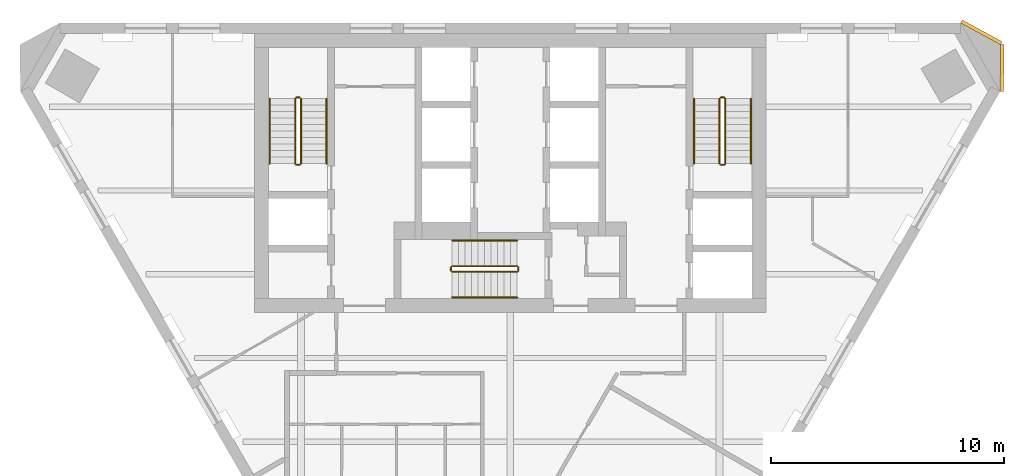
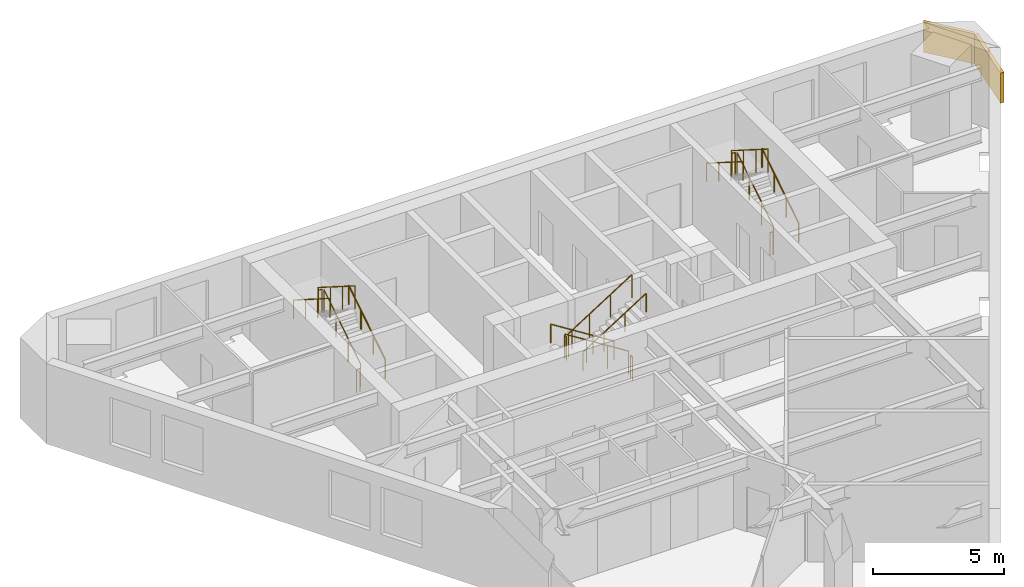
# One storey, part 6 of 6: 18 railings, 2 coverings.
"""IFC4 building model written with IfcOpenShell, lengths in metres."""

from ifc_helpers import new_model, si_unit, direction, frame, origin, origin_2d, place, context, subcontext, project, spatial, polyline, circle, outline, extrude, material, layer, layer_set, type_object, element, save


model = new_model("IFC4")

# Units and contexts
model_context = context("Model", 3, precision=1e-05, world=origin(), true_north=direction((0.0, 1.0)))
body_context = subcontext(model_context, "Body", "Model", "MODEL_VIEW")
ifc_project = project(units=[si_unit("LENGTHUNIT", "METRE"), si_unit("AREAUNIT", "SQUARE_METRE"), si_unit("VOLUMEUNIT", "CUBIC_METRE"), si_unit("PLANEANGLEUNIT", "RADIAN"), si_unit("MASSUNIT", "GRAM", prefix="KILO")], contexts=[model_context])

# Site, building, storey
site_placement = place(None, origin())
site = spatial("IfcSite", under=ifc_project, at=site_placement, CompositionType="ELEMENT")
building_placement = place(site_placement, origin())
building = spatial("IfcBuilding", under=site, at=building_placement, Name="Aloe Facet Convention Tower", CompositionType="ELEMENT")
storey_placement = place(building_placement, frame((0.0, 0.0, 223.10009765625)))
storey = spatial("IfcBuildingStorey", under=building, at=storey_placement, Name="L56", CompositionType="ELEMENT", Elevation=223.10009765625)

# Railings
ifc_material_1 = material(Name="Steel S355 balustrade", Category="steel")
railing_type_1 = type_object("IfcRailingType", Name="CR-RL-GUARD", PredefinedType="GUARDRAIL", material=ifc_material_1)
railing_1_placement = place(storey_placement, frame((71.0, 128.949951171875, 0.17724609375)))
element("IfcRailing", 1, at=railing_1_placement, inside=storey, type_object=railing_type_1, Name="L56 ST1 stair guard 1", PredefinedType="GUARDRAIL", context=body_context, shape_type="SweptSolid", body=[
    extrude(circle(Radius=0.02392578125, at=origin_2d()), frame((0.0, 0.0, 1.076171875), z_axis=(0.0, 0.844908973607, 0.534910110503), x_axis=(-1.0, 0.0, 0.0)), (0.0, 0.0, 1.0), 3.31396484375),
    extrude(circle(Radius=0.02099609375, at=origin_2d()), origin(), (0.0, 0.0, 1.0), 1.052001953125),
    extrude(circle(Radius=0.02099609375, at=origin_2d()), frame((0.0, 0.933349609375, 0.5908203125)), (0.0, 0.0, 1.0), 1.052001953125),
    extrude(circle(Radius=0.02099609375, at=origin_2d()), frame((0.0, 1.86669921875, 1.181884765625)), (0.0, 0.0, 1.0), 1.052001953125),
    extrude(circle(Radius=0.02099609375, at=origin_2d()), frame((0.0, 2.800048828125, 1.772705078125)), (0.0, 0.0, 1.0), 1.052001953125),
])
railing_2_placement = place(storey_placement, frame((70.949951171875, 131.800048828125, 1.949951171875)))
element("IfcRailing", 2, at=railing_2_placement, inside=storey, type_object=railing_type_1, Name="L56 ST1 stair guard 2", PredefinedType="GUARDRAIL", context=body_context, shape_type="SweptSolid", body=[
    extrude(circle(Radius=0.02392578125, at=origin_2d()), frame((0.0, 0.0, 1.076171875), z_axis=(-1.0, 0.0, 0.0), x_axis=(0.0, -1.0, 0.0)), (0.0, 0.0, 1.0), 0.14990234375),
    extrude(circle(Radius=0.02099609375, at=origin_2d()), origin(), (0.0, 0.0, 1.0), 1.052001953125),
    extrude(circle(Radius=0.02099609375, at=origin_2d()), frame((-0.14990234375, 0.0, 0.0)), (0.0, 0.0, 1.0), 1.052001953125),
])
railing_3_placement = place(storey_placement, frame((70.75, 131.75, 2.127197265625)))
element("IfcRailing", 3, at=railing_3_placement, inside=storey, type_object=railing_type_1, Name="L56 ST1 stair guard 3", PredefinedType="GUARDRAIL", context=body_context, shape_type="SweptSolid", body=[
    extrude(circle(Radius=0.02392578125, at=origin_2d()), frame((0.0, 0.0, 1.076171875), z_axis=(0.0, -0.844908973607, 0.534910110503), x_axis=(1.0, 0.0, 0.0)), (0.0, 0.0, 1.0), 3.31396484375),
    extrude(circle(Radius=0.02099609375, at=origin_2d()), origin(), (0.0, 0.0, 1.0), 1.052001953125),
    extrude(circle(Radius=0.02099609375, at=origin_2d()), frame((0.0, -0.933349609375, 0.5908203125)), (0.0, 0.0, 1.0), 1.052001953125),
    extrude(circle(Radius=0.02099609375, at=origin_2d()), frame((0.0, -1.86669921875, 1.181884765625)), (0.0, 0.0, 1.0), 1.052001953125),
    extrude(circle(Radius=0.02099609375, at=origin_2d()), frame((0.0, -2.800048828125, 1.772705078125)), (0.0, 0.0, 1.0), 1.052001953125),
])
railing_4_placement = place(storey_placement, frame((70.949951171875, 128.89990234375, 0.0)))
element("IfcRailing", 4, at=railing_4_placement, inside=storey, type_object=railing_type_1, Name="L56 ST1 stair guard 4", PredefinedType="GUARDRAIL", context=body_context, shape_type="SweptSolid", body=[
    extrude(circle(Radius=0.02392578125, at=origin_2d()), frame((0.0, 0.0, 1.076171875), z_axis=(-1.0, 0.0, 0.0), x_axis=(0.0, -1.0, 0.0)), (0.0, 0.0, 1.0), 0.14990234375),
    extrude(circle(Radius=0.02099609375, at=origin_2d()), origin(), (0.0, 0.0, 1.0), 1.052001953125),
    extrude(circle(Radius=0.02099609375, at=origin_2d()), frame((-0.14990234375, 0.0, 0.0)), (0.0, 0.0, 1.0), 1.052001953125),
])
railing_5_placement = place(storey_placement, frame((89.25, 128.949951171875, 0.17724609375)))
element("IfcRailing", 5, at=railing_5_placement, inside=storey, type_object=railing_type_1, Name="L56 ST2 stair guard 1", PredefinedType="GUARDRAIL", context=body_context, shape_type="SweptSolid", body=[
    extrude(circle(Radius=0.02392578125, at=origin_2d()), frame((0.0, 0.0, 1.076171875), z_axis=(0.0, 0.844908973607, 0.534910110503), x_axis=(-1.0, 0.0, 0.0)), (0.0, 0.0, 1.0), 3.31396484375),
    extrude(circle(Radius=0.02099609375, at=origin_2d()), origin(), (0.0, 0.0, 1.0), 1.052001953125),
    extrude(circle(Radius=0.02099609375, at=origin_2d()), frame((0.0, 0.933349609375, 0.5908203125)), (0.0, 0.0, 1.0), 1.052001953125),
    extrude(circle(Radius=0.02099609375, at=origin_2d()), frame((0.0, 1.86669921875, 1.181884765625)), (0.0, 0.0, 1.0), 1.052001953125),
    extrude(circle(Radius=0.02099609375, at=origin_2d()), frame((0.0, 2.800048828125, 1.772705078125)), (0.0, 0.0, 1.0), 1.052001953125),
])
railing_6_placement = place(storey_placement, frame((89.199951171875, 131.800048828125, 1.949951171875)))
element("IfcRailing", 6, at=railing_6_placement, inside=storey, type_object=railing_type_1, Name="L56 ST2 stair guard 2", PredefinedType="GUARDRAIL", context=body_context, shape_type="SweptSolid", body=[
    extrude(circle(Radius=0.02392578125, at=origin_2d()), frame((0.0, 0.0, 1.076171875), z_axis=(-1.0, 0.0, 0.0), x_axis=(0.0, -1.0, 0.0)), (0.0, 0.0, 1.0), 0.14990234375),
    extrude(circle(Radius=0.02099609375, at=origin_2d()), origin(), (0.0, 0.0, 1.0), 1.052001953125),
    extrude(circle(Radius=0.02099609375, at=origin_2d()), frame((-0.14990234375, 0.0, 0.0)), (0.0, 0.0, 1.0), 1.052001953125),
])
railing_7_placement = place(storey_placement, frame((89.0, 131.75, 2.127197265625)))
element("IfcRailing", 7, at=railing_7_placement, inside=storey, type_object=railing_type_1, Name="L56 ST2 stair guard 3", PredefinedType="GUARDRAIL", context=body_context, shape_type="SweptSolid", body=[
    extrude(circle(Radius=0.02392578125, at=origin_2d()), frame((0.0, 0.0, 1.076171875), z_axis=(0.0, -0.844908973607, 0.534910110503), x_axis=(1.0, 0.0, 0.0)), (0.0, 0.0, 1.0), 3.31396484375),
    extrude(circle(Radius=0.02099609375, at=origin_2d()), origin(), (0.0, 0.0, 1.0), 1.052001953125),
    extrude(circle(Radius=0.02099609375, at=origin_2d()), frame((0.0, -0.933349609375, 0.5908203125)), (0.0, 0.0, 1.0), 1.052001953125),
    extrude(circle(Radius=0.02099609375, at=origin_2d()), frame((0.0, -1.86669921875, 1.181884765625)), (0.0, 0.0, 1.0), 1.052001953125),
    extrude(circle(Radius=0.02099609375, at=origin_2d()), frame((0.0, -2.800048828125, 1.772705078125)), (0.0, 0.0, 1.0), 1.052001953125),
])
railing_8_placement = place(storey_placement, frame((89.199951171875, 128.89990234375, 0.0)))
element("IfcRailing", 8, at=railing_8_placement, inside=storey, type_object=railing_type_1, Name="L56 ST2 stair guard 4", PredefinedType="GUARDRAIL", context=body_context, shape_type="SweptSolid", body=[
    extrude(circle(Radius=0.02392578125, at=origin_2d()), frame((0.0, 0.0, 1.076171875), z_axis=(-1.0, 0.0, 0.0), x_axis=(0.0, -1.0, 0.0)), (0.0, 0.0, 1.0), 0.14990234375),
    extrude(circle(Radius=0.02099609375, at=origin_2d()), origin(), (0.0, 0.0, 1.0), 1.052001953125),
    extrude(circle(Radius=0.02099609375, at=origin_2d()), frame((-0.14990234375, 0.0, 0.0)), (0.0, 0.0, 1.0), 1.052001953125),
])
railing_9_placement = place(storey_placement, frame((80.300048828125, 124.550048828125, 0.17724609375)))
element("IfcRailing", 9, at=railing_9_placement, inside=storey, type_object=railing_type_1, Name="L56 ST3 stair guard 1", PredefinedType="GUARDRAIL", context=body_context, shape_type="SweptSolid", body=[
    extrude(circle(Radius=0.02392578125, at=origin_2d()), frame((0.0, 0.0, 1.076171875), z_axis=(-0.844908973607, 0.0, 0.534910110503), x_axis=(0.0, -1.0, 0.0)), (0.0, 0.0, 1.0), 3.31396484375),
    extrude(circle(Radius=0.02099609375, at=origin_2d()), origin(), (0.0, 0.0, 1.0), 1.052001953125),
    extrude(circle(Radius=0.02099609375, at=origin_2d()), frame((-0.933349609375, 0.0, 0.5908203125)), (0.0, 0.0, 1.0), 1.052001953125),
    extrude(circle(Radius=0.02099609375, at=origin_2d()), frame((-1.86669921875, 0.0, 1.181884765625)), (0.0, 0.0, 1.0), 1.052001953125),
    extrude(circle(Radius=0.02099609375, at=origin_2d()), frame((-2.800048828125, 0.0, 1.772705078125)), (0.0, 0.0, 1.0), 1.052001953125),
])
railing_10_placement = place(storey_placement, frame((77.449951171875, 124.5, 1.949951171875)))
element("IfcRailing", 10, at=railing_10_placement, inside=storey, type_object=railing_type_1, Name="L56 ST3 stair guard 2", PredefinedType="GUARDRAIL", context=body_context, shape_type="SweptSolid", body=[
    extrude(circle(Radius=0.02392578125, at=origin_2d()), frame((0.0, 0.0, 1.076171875), z_axis=(0.0, -1.0, 0.0), x_axis=(1.0, 0.0, 0.0)), (0.0, 0.0, 1.0), 0.14990234375),
    extrude(circle(Radius=0.02099609375, at=origin_2d()), origin(), (0.0, 0.0, 1.0), 1.052001953125),
    extrude(circle(Radius=0.02099609375, at=origin_2d()), frame((0.0, -0.14990234375, 0.0)), (0.0, 0.0, 1.0), 1.052001953125),
])
railing_11_placement = place(storey_placement, frame((77.5, 124.300048828125, 2.127197265625)))
element("IfcRailing", 11, at=railing_11_placement, inside=storey, type_object=railing_type_1, Name="L56 ST3 stair guard 3", PredefinedType="GUARDRAIL", context=body_context, shape_type="SweptSolid", body=[
    extrude(circle(Radius=0.02392578125, at=origin_2d()), frame((0.0, 0.0, 1.076171875), z_axis=(0.844908973607, 0.0, 0.534910110503), x_axis=(0.0, 1.0, 0.0)), (0.0, 0.0, 1.0), 3.31396484375),
    extrude(circle(Radius=0.02099609375, at=origin_2d()), origin(), (0.0, 0.0, 1.0), 1.052001953125),
    extrude(circle(Radius=0.02099609375, at=origin_2d()), frame((0.933349609375, 0.0, 0.5908203125)), (0.0, 0.0, 1.0), 1.052001953125),
    extrude(circle(Radius=0.02099609375, at=origin_2d()), frame((1.86669921875, 0.0, 1.181884765625)), (0.0, 0.0, 1.0), 1.052001953125),
    extrude(circle(Radius=0.02099609375, at=origin_2d()), frame((2.800048828125, 0.0, 1.772705078125)), (0.0, 0.0, 1.0), 1.052001953125),
])
railing_12_placement = place(storey_placement, frame((80.35009765625, 124.5, 0.0)))
element("IfcRailing", 12, at=railing_12_placement, inside=storey, type_object=railing_type_1, Name="L56 ST3 stair guard 4", PredefinedType="GUARDRAIL", context=body_context, shape_type="SweptSolid", body=[
    extrude(circle(Radius=0.02392578125, at=origin_2d()), frame((0.0, 0.0, 1.076171875), z_axis=(0.0, -1.0, 0.0), x_axis=(1.0, 0.0, 0.0)), (0.0, 0.0, 1.0), 0.14990234375),
    extrude(circle(Radius=0.02099609375, at=origin_2d()), origin(), (0.0, 0.0, 1.0), 1.052001953125),
    extrude(circle(Radius=0.02099609375, at=origin_2d()), frame((0.0, -0.14990234375, 0.0)), (0.0, 0.0, 1.0), 1.052001953125),
])
ifc_material_2 = material(Name="Steel S355 handrail", Category="steel")
railing_type_2 = type_object("IfcRailingType", Name="CR-RL-HAND", PredefinedType="HANDRAIL", material=ifc_material_2)
railing_13_placement = place(storey_placement, frame((72.10009765625, 128.949951171875, 0.17724609375)))
element("IfcRailing", 13, at=railing_13_placement, inside=storey, type_object=railing_type_2, Name="L56 ST1 stair handrail 1", PredefinedType="HANDRAIL", context=body_context, shape_type="SweptSolid", body=[
    extrude(circle(Radius=0.02392578125, at=origin_2d()), frame((0.0, 0.0, 0.8759765625), z_axis=(0.0, 0.844908973607, 0.534910110503), x_axis=(-1.0, 0.0, 0.0)), (0.0, 0.0, 1.0), 3.31396484375),
    extrude(circle(Radius=0.02099609375, at=origin_2d()), origin(), (0.0, 0.0, 1.0), 0.851806640625),
    extrude(circle(Radius=0.02099609375, at=origin_2d()), frame((0.0, 0.933349609375, 0.5908203125)), (0.0, 0.0, 1.0), 0.851806640625),
    extrude(circle(Radius=0.02099609375, at=origin_2d()), frame((0.0, 1.86669921875, 1.181884765625)), (0.0, 0.0, 1.0), 0.851806640625),
    extrude(circle(Radius=0.02099609375, at=origin_2d()), frame((0.0, 2.800048828125, 1.772705078125)), (0.0, 0.0, 1.0), 0.851806640625),
])
railing_14_placement = place(storey_placement, frame((69.64990234375, 131.75, 2.127197265625)))
element("IfcRailing", 14, at=railing_14_placement, inside=storey, type_object=railing_type_2, Name="L56 ST1 stair handrail 2", PredefinedType="HANDRAIL", context=body_context, shape_type="SweptSolid", body=[
    extrude(circle(Radius=0.02392578125, at=origin_2d()), frame((0.0, 0.0, 0.8759765625), z_axis=(0.0, -0.844908973607, 0.534910110503), x_axis=(1.0, 0.0, 0.0)), (0.0, 0.0, 1.0), 3.31396484375),
    extrude(circle(Radius=0.02099609375, at=origin_2d()), origin(), (0.0, 0.0, 1.0), 0.851806640625),
    extrude(circle(Radius=0.02099609375, at=origin_2d()), frame((0.0, -0.933349609375, 0.5908203125)), (0.0, 0.0, 1.0), 0.851806640625),
    extrude(circle(Radius=0.02099609375, at=origin_2d()), frame((0.0, -1.86669921875, 1.181884765625)), (0.0, 0.0, 1.0), 0.851806640625),
    extrude(circle(Radius=0.02099609375, at=origin_2d()), frame((0.0, -2.800048828125, 1.772705078125)), (0.0, 0.0, 1.0), 0.851806640625),
])
railing_15_placement = place(storey_placement, frame((90.35009765625, 128.949951171875, 0.17724609375)))
element("IfcRailing", 15, at=railing_15_placement, inside=storey, type_object=railing_type_2, Name="L56 ST2 stair handrail 1", PredefinedType="HANDRAIL", context=body_context, shape_type="SweptSolid", body=[
    extrude(circle(Radius=0.02392578125, at=origin_2d()), frame((0.0, 0.0, 0.8759765625), z_axis=(0.0, 0.844908973607, 0.534910110503), x_axis=(-1.0, 0.0, 0.0)), (0.0, 0.0, 1.0), 3.31396484375),
    extrude(circle(Radius=0.02099609375, at=origin_2d()), origin(), (0.0, 0.0, 1.0), 0.851806640625),
    extrude(circle(Radius=0.02099609375, at=origin_2d()), frame((0.0, 0.933349609375, 0.5908203125)), (0.0, 0.0, 1.0), 0.851806640625),
    extrude(circle(Radius=0.02099609375, at=origin_2d()), frame((0.0, 1.86669921875, 1.181884765625)), (0.0, 0.0, 1.0), 0.851806640625),
    extrude(circle(Radius=0.02099609375, at=origin_2d()), frame((0.0, 2.800048828125, 1.772705078125)), (0.0, 0.0, 1.0), 0.851806640625),
])
railing_16_placement = place(storey_placement, frame((87.89990234375, 131.75, 2.127197265625)))
element("IfcRailing", 16, at=railing_16_placement, inside=storey, type_object=railing_type_2, Name="L56 ST2 stair handrail 2", PredefinedType="HANDRAIL", context=body_context, shape_type="SweptSolid", body=[
    extrude(circle(Radius=0.02392578125, at=origin_2d()), frame((0.0, 0.0, 0.8759765625), z_axis=(0.0, -0.844908973607, 0.534910110503), x_axis=(1.0, 0.0, 0.0)), (0.0, 0.0, 1.0), 3.31396484375),
    extrude(circle(Radius=0.02099609375, at=origin_2d()), origin(), (0.0, 0.0, 1.0), 0.851806640625),
    extrude(circle(Radius=0.02099609375, at=origin_2d()), frame((0.0, -0.933349609375, 0.5908203125)), (0.0, 0.0, 1.0), 0.851806640625),
    extrude(circle(Radius=0.02099609375, at=origin_2d()), frame((0.0, -1.86669921875, 1.181884765625)), (0.0, 0.0, 1.0), 0.851806640625),
    extrude(circle(Radius=0.02099609375, at=origin_2d()), frame((0.0, -2.800048828125, 1.772705078125)), (0.0, 0.0, 1.0), 0.851806640625),
])
railing_17_placement = place(storey_placement, frame((80.300048828125, 125.64990234375, 0.17724609375)))
element("IfcRailing", 17, at=railing_17_placement, inside=storey, type_object=railing_type_2, Name="L56 ST3 stair handrail 1", PredefinedType="HANDRAIL", context=body_context, shape_type="SweptSolid", body=[
    extrude(circle(Radius=0.02392578125, at=origin_2d()), frame((0.0, 0.0, 0.8759765625), z_axis=(-0.844908973607, 0.0, 0.534910110503), x_axis=(0.0, -1.0, 0.0)), (0.0, 0.0, 1.0), 3.31396484375),
    extrude(circle(Radius=0.02099609375, at=origin_2d()), origin(), (0.0, 0.0, 1.0), 0.851806640625),
    extrude(circle(Radius=0.02099609375, at=origin_2d()), frame((-0.933349609375, 0.0, 0.5908203125)), (0.0, 0.0, 1.0), 0.851806640625),
    extrude(circle(Radius=0.02099609375, at=origin_2d()), frame((-1.86669921875, 0.0, 1.181884765625)), (0.0, 0.0, 1.0), 0.851806640625),
    extrude(circle(Radius=0.02099609375, at=origin_2d()), frame((-2.800048828125, 0.0, 1.772705078125)), (0.0, 0.0, 1.0), 0.851806640625),
])
railing_18_placement = place(storey_placement, frame((77.5, 123.199951171875, 2.127197265625)))
element("IfcRailing", 18, at=railing_18_placement, inside=storey, type_object=railing_type_2, Name="L56 ST3 stair handrail 2", PredefinedType="HANDRAIL", context=body_context, shape_type="SweptSolid", body=[
    extrude(circle(Radius=0.02392578125, at=origin_2d()), frame((0.0, 0.0, 0.8759765625), z_axis=(0.844908973607, 0.0, 0.534910110503), x_axis=(0.0, 1.0, 0.0)), (0.0, 0.0, 1.0), 3.31396484375),
    extrude(circle(Radius=0.02099609375, at=origin_2d()), origin(), (0.0, 0.0, 1.0), 0.851806640625),
    extrude(circle(Radius=0.02099609375, at=origin_2d()), frame((0.933349609375, 0.0, 0.5908203125)), (0.0, 0.0, 1.0), 0.851806640625),
    extrude(circle(Radius=0.02099609375, at=origin_2d()), frame((1.86669921875, 0.0, 1.181884765625)), (0.0, 0.0, 1.0), 0.851806640625),
    extrude(circle(Radius=0.02099609375, at=origin_2d()), frame((2.800048828125, 0.0, 1.772705078125)), (0.0, 0.0, 1.0), 0.851806640625),
])

# Coverings
ifc_material_3 = material(Name="Bronze oxide fascia sheet")
ifc_layer = layer(ifc_material_3, 0.14990234375)
ifc_layer_set = layer_set([ifc_layer], Name="EV-FASCIA-TERR")
covering_type = type_object("IfcCoveringType", Name="EV-FASCIA-TERR", PredefinedType="CLADDING", material=ifc_layer_set)
covering_1_placement = place(storey_placement, frame((101.214599609375, 132.05419921875, 1.002197265625), z_axis=(0.999962987864, -0.008603656343, 0.0), x_axis=(0.008236590982, 0.957300687134, 0.288976734325)))
element("IfcCovering", 19, at=covering_1_placement, inside=storey, type_object=covering_type, Name="Spiral ribbon zone 4 part 11 over the corner spine", PredefinedType="CLADDING", context=body_context, shape_type="SweptSolid", body=[
    extrude(outline(polyline([(0.0, 0.0), (2.1045095491688866, 0.0), (2.509048756839939, 1.3401770784092748), (0.4045392076710528, 1.3401770784092748), (0.0, 0.0)])), origin(), (0.0, 0.0, -1.0), 0.14990234375),
])
covering_2_placement = place(storey_placement, frame((101.153564453125, 134.2021484375, 1.6103515625), z_axis=(0.476029421759, 0.879429354536, 0.0), x_axis=(-0.841900491328, 0.455715290828, 0.289010616426)))
element("IfcCovering", 20, at=covering_2_placement, inside=storey, type_object=covering_type, Name="Spiral ribbon zone 4 part 12 over the corner spine", PredefinedType="CLADDING", context=body_context, shape_type="SweptSolid", body=[
    extrude(outline(polyline([(0.0, 0.0), (2.040062114901244, 0.0), (2.4446487542046764, 1.340162760016073), (0.40458663930343247, 1.3401627600160728), (0.0, 0.0)])), origin(), (0.0, 0.0, -1.0), 0.14990234375),
])

save(model, "model.ifc")
